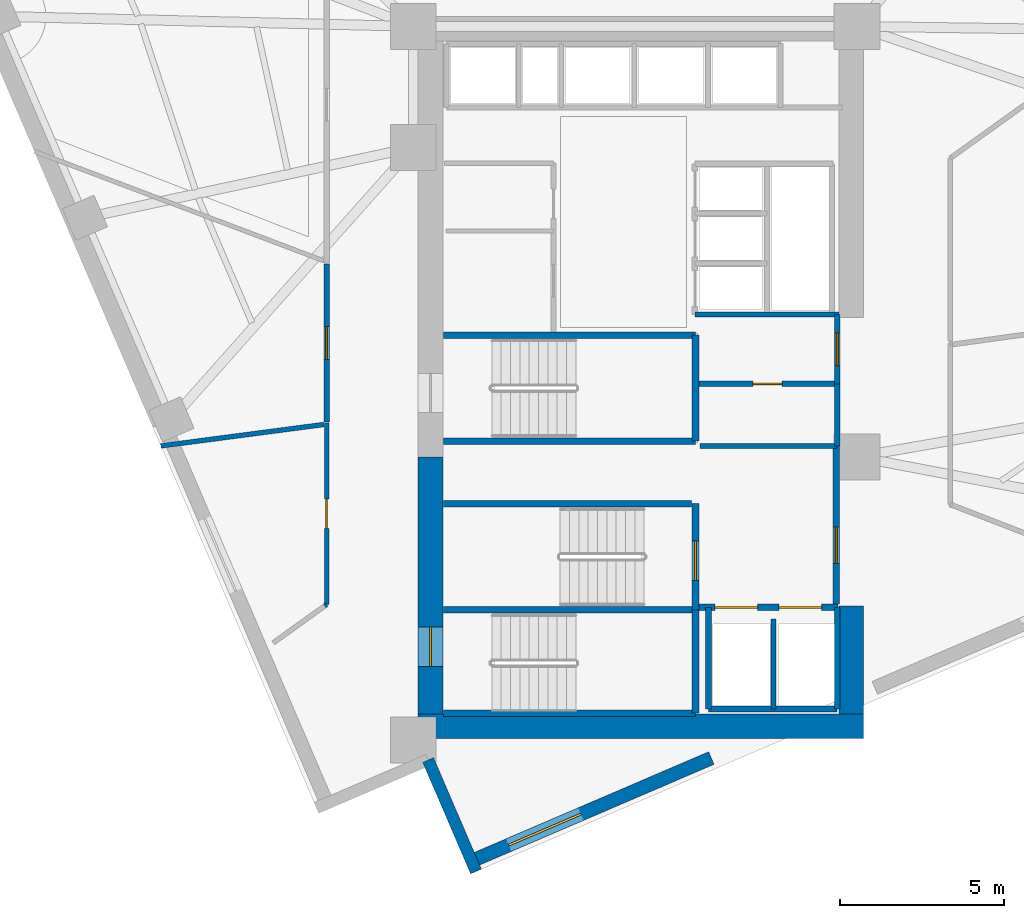
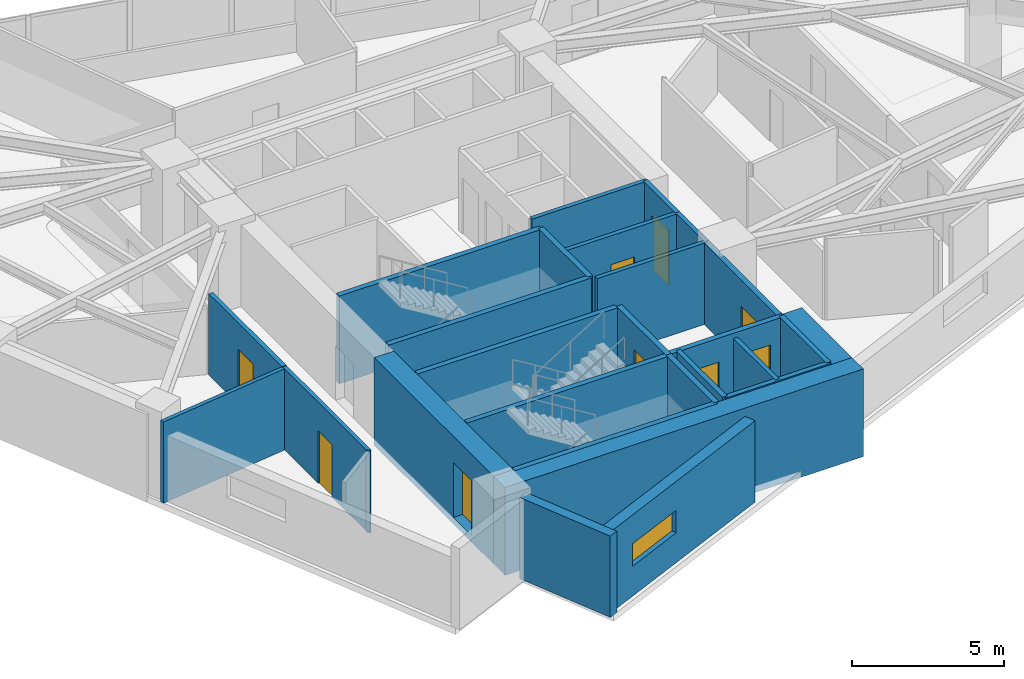
# One storey, part 9 of 14: 28 walls, 9 doors, 1 window, 10 openings.
"""IFC4 building model written with IfcOpenShell, lengths in metres."""

from ifc_helpers import new_model, si_unit, direction, frame, frame_2d, origin, place, context, subcontext, project, spatial, rectangle, extrude, material, layer, layer_set, type_object, element, fill, save


model = new_model("IFC4")

# Units and contexts
model_context = context("Model", 3, precision=1e-05, world=origin(), true_north=direction((0.0, 1.0)))
body_context = subcontext(model_context, "Body", "Model", "MODEL_VIEW")
ifc_project = project(units=[si_unit("LENGTHUNIT", "METRE"), si_unit("AREAUNIT", "SQUARE_METRE"), si_unit("VOLUMEUNIT", "CUBIC_METRE"), si_unit("PLANEANGLEUNIT", "RADIAN"), si_unit("MASSUNIT", "GRAM", prefix="KILO")], contexts=[model_context])

# Site, building, storey
site_placement = place(None, origin())
site = spatial("IfcSite", under=ifc_project, at=site_placement, CompositionType="ELEMENT")
building_placement = place(site_placement, origin())
building = spatial("IfcBuilding", under=site, at=building_placement, Name="Narakoshi Arena Tower", CompositionType="ELEMENT")
storey_placement = place(building_placement, frame((0.0, 0.0, 189.659912109375)))
storey = spatial("IfcBuildingStorey", under=building, at=storey_placement, Name="L51", CompositionType="ELEMENT", Elevation=189.659912109375)

# Wall, opening, door
ifc_material_1 = material(Name="Concrete C50/60", Category="concrete")
ifc_layer_1 = layer(ifc_material_1, 0.75)
ifc_layer_set_1 = layer_set([ifc_layer_1], Name="Concrete C50/60")
wall_type_1 = type_object("IfcWallType", Name="WL-CORE-750", PredefinedType="SHEAR", material=ifc_layer_set_1)
wall_1_placement = place(storey_placement, frame((72.52490234375, 35.5, -0.260009765625), z_axis=(0.0, 0.0, 1.0), x_axis=(0.0, 1.0, 0.0)))
wall_1 = element("IfcWall", 1, at=wall_1_placement, inside=storey, type_object=wall_type_1, Name="L51 Central Core Shear Wall CW-APX-W", PredefinedType="SHEAR", context=body_context, shape_type="SweptSolid", body=[
    extrude(rectangle(XDim=7.85009765625, YDim=0.75, at=frame_2d((3.925048828125, 0.0))), origin(), (0.0, 0.0, 1.0), 3.52001953125),
])
opening_1_placement = place(wall_1_placement, frame((1.449951171875, 0.0, 0.260009765625)))
opening_1 = element("IfcOpeningElement", 2, at=opening_1_placement, cuts=wall_1, Name="Opening D-03", PredefinedType="OPENING", context=body_context, shape_type="SweptSolid", body=[
    extrude(rectangle(XDim=1.199951171875, YDim=2.199951171875, at=frame_2d((0.60009765625, 1.10009765625))), frame((0.0, 0.385009765625, 0.0), z_axis=(0.0, -1.0, 0.0), x_axis=(1.0, 0.0, 0.0)), (0.0, 0.0, 1.0), 0.77001953125),
])
ifc_material_2 = material(Name="Painted galvanized steel", Category="steel")
door_type_1 = type_object("IfcDoorType", Name="DR-STR-1200", OperationType="NOTDEFINED", PredefinedType="USERDEFINED", material=ifc_material_2)
door_1_placement = place(opening_1_placement, frame((1.199951171875, 0.0, 0.0), z_axis=(0.0, 0.0, 1.0), x_axis=(-1.0, 0.0, 0.0)))
door_1 = element("IfcDoor", 3, at=door_1_placement, inside=storey, type_object=door_type_1, Name="DR-L51-001", ObjectType="EXITDOOR", OperationType="SINGLE_SWING_LEFT", OverallHeight=2.199951171875, OverallWidth=1.199951171875, PredefinedType="USERDEFINED", context=body_context, shape_type="SweptSolid", body=[
    extrude(rectangle(XDim=1.199951171875, YDim=2.199951171875, at=frame_2d((0.60009765625, 1.10009765625))), frame((0.0, 0.02490234375, 0.0), z_axis=(0.0, -1.0, 0.0), x_axis=(1.0, 0.0, 0.0)), (0.0, 0.0, 1.0), 0.050048828125),
])
fill(opening_1, door_1)

# Walls
wall_2_placement = place(storey_placement, frame((72.14990234375, 35.125, -0.260009765625), z_axis=(0.0, 0.0, 1.0), x_axis=(1.0, 0.0, 0.0)))
element("IfcWall", 4, at=wall_2_placement, inside=storey, type_object=wall_type_1, Name="L51 Central Core Shear Wall CW-APX-S", PredefinedType="SHEAR", context=body_context, shape_type="SweptSolid", body=[
    extrude(rectangle(XDim=13.60009765625, YDim=0.75, at=frame_2d((6.800048828125, 0.0))), origin(), (0.0, 0.0, 1.0), 3.52001953125),
])
wall_3_placement = place(storey_placement, frame((85.375, 35.5, -0.260009765625), z_axis=(0.0, 0.0, 1.0), x_axis=(0.0, 1.0, 0.0)))
element("IfcWall", 5, at=wall_3_placement, inside=storey, type_object=wall_type_1, Name="L51 Central Core Shear Wall CW-APX-E", PredefinedType="SHEAR", context=body_context, shape_type="SweptSolid", body=[
    extrude(rectangle(XDim=3.300048828125, YDim=0.75, at=frame_2d((1.64990234375, 0.0))), origin(), (0.0, 0.0, 1.0), 3.52001953125),
])

# Wall, opening, door
ifc_material_3 = material(Name="Gypsum plasterboard fire-rated partition")
ifc_layer_2 = layer(ifc_material_3, 0.1650390625)
ifc_layer_set_2 = layer_set([ifc_layer_2], Name="Gypsum plasterboard fire-rated partition")
wall_type_2 = type_object("IfcWallType", Name="WL-CORR-165", PredefinedType="PARTITIONING", material=ifc_layer_set_2)
wall_4_placement = place(storey_placement, frame((84.949951171875, 45.580078125, 0.0), z_axis=(0.0, 0.0, 1.0), x_axis=(0.0, 1.0, 0.0)))
wall_4 = element("IfcWall", 6, at=wall_4_placement, inside=storey, type_object=wall_type_2, Name="L51 Core Wall CPAS-E", PredefinedType="PARTITIONING", context=body_context, shape_type="SweptSolid", body=[
    extrude(rectangle(XDim=2.119873046875, YDim=0.1650390625, at=frame_2d((1.06005859375, 0.0))), origin(), (0.0, 0.0, 1.0), 3.260009765625),
])
opening_2_placement = place(wall_4_placement, frame((0.56005859375, 0.0, 0.0)))
opening_2 = element("IfcOpeningElement", 7, at=opening_2_placement, cuts=wall_4, Name="Opening D-06", PredefinedType="OPENING", context=body_context, shape_type="SweptSolid", body=[
    extrude(rectangle(XDim=1.0, YDim=2.199951171875, at=frame_2d((0.5, 1.10009765625))), frame((0.0, 0.092529296875, 0.0), z_axis=(0.0, -1.0, 0.0), x_axis=(1.0, 0.0, 0.0)), (0.0, 0.0, 1.0), 0.18505859375),
])
ifc_material_4 = material(Name="Stained oak solid-core timber", Category="wood")
door_type_2 = type_object("IfcDoorType", Name="DR-OFF-1000", OperationType="NOTDEFINED", PredefinedType="DOOR", material=ifc_material_4)
door_2_placement = place(opening_2_placement, frame((1.0, 0.0, 0.0), z_axis=(0.0, 0.0, 1.0), x_axis=(-1.0, 0.0, 0.0)))
door_2 = element("IfcDoor", 8, at=door_2_placement, inside=storey, type_object=door_type_2, Name="DR-L51-007", OperationType="SINGLE_SWING_LEFT", OverallHeight=2.199951171875, OverallWidth=1.0, PredefinedType="DOOR", context=body_context, shape_type="SweptSolid", body=[
    extrude(rectangle(XDim=1.0, YDim=2.199951171875, at=frame_2d((0.5, 1.10009765625))), frame((0.0, 0.02490234375, 0.0), z_axis=(0.0, -1.0, 0.0), x_axis=(1.0, 0.0, 0.0)), (0.0, 0.0, 1.0), 0.050048828125),
])
fill(opening_2, door_2)

wall_5_placement = place(storey_placement, frame((69.353759765625, 49.24169921875, 0.0), z_axis=(0.0, 0.0, 1.0), x_axis=(0.0, -1.0, 0.0)))
wall_5 = element("IfcWall", 9, at=wall_5_placement, inside=storey, type_object=wall_type_2, Name="L51 Corridor Partition 09-1", PredefinedType="PARTITIONING", context=body_context, shape_type="SweptSolid", body=[
    extrude(rectangle(XDim=4.831298828125, YDim=0.1650390625, at=frame_2d((2.41552734375, 0.0))), origin(), (0.0, 0.0, 1.0), 3.260009765625),
])
opening_3_placement = place(wall_5_placement, frame((1.91552734375, 0.0, 0.0)))
opening_3 = element("IfcOpeningElement", 10, at=opening_3_placement, cuts=wall_5, Name="Opening D-06", PredefinedType="OPENING", context=body_context, shape_type="SweptSolid", body=[
    extrude(rectangle(XDim=1.0, YDim=2.199951171875, at=frame_2d((0.5, 1.10009765625))), frame((0.0, 0.092529296875, 0.0), z_axis=(0.0, -1.0, 0.0), x_axis=(1.0, 0.0, 0.0)), (0.0, 0.0, 1.0), 0.18505859375),
])
door_3_placement = place(opening_3_placement, frame((1.0, 0.0, 0.0), z_axis=(0.0, 0.0, 1.0), x_axis=(-1.0, 0.0, 0.0)))
door_3 = element("IfcDoor", 11, at=door_3_placement, inside=storey, type_object=door_type_2, Name="DR-L51-022", OperationType="SINGLE_SWING_LEFT", OverallHeight=2.199951171875, OverallWidth=1.0, PredefinedType="DOOR", context=body_context, shape_type="SweptSolid", body=[
    extrude(rectangle(XDim=1.0, YDim=2.199951171875, at=frame_2d((0.5, 1.10009765625))), frame((0.0, 0.02490234375, 0.0), z_axis=(0.0, -1.0, 0.0), x_axis=(1.0, 0.0, 0.0)), (0.0, 0.0, 1.0), 0.050048828125),
])
fill(opening_3, door_3)

# Wall, opening, window
ifc_material_5 = material(Name="Precast concrete C45/55", Category="concrete")
ifc_layer_3 = layer(ifc_material_5, 0.419921875)
ifc_layer_set_3 = layer_set([ifc_layer_3], Name="Precast concrete C45/55")
wall_type_3 = type_object("IfcWallType", Name="WL-POD-420", PredefinedType="SOLIDWALL", material=ifc_layer_set_3)
wall_6_placement = place(storey_placement, frame((73.77880859375, 31.002685546875, 0.0), z_axis=(0.0, 0.0, 1.0), x_axis=(0.918797817688, 0.394728476565, 0.0)))
wall_6 = element("IfcWall", 12, at=wall_6_placement, inside=storey, type_object=wall_type_3, Name="L51 Architectural Concrete Facade Wall LEGA-1", PredefinedType="SOLIDWALL", context=body_context, shape_type="SweptSolid", body=[
    extrude(rectangle(XDim=7.97314453125, YDim=0.419921875, at=frame_2d((3.986572265625, 0.0))), origin(), (0.0, 0.0, 1.0), 3.260009765625),
])
opening_4_placement = place(wall_6_placement, frame((1.234130859375, 0.0, 1.199951171875)))
opening_4 = element("IfcOpeningElement", 13, at=opening_4_placement, cuts=wall_6, Name="Opening WN-01", PredefinedType="OPENING", context=body_context, shape_type="SweptSolid", body=[
    extrude(rectangle(XDim=2.39990234375, YDim=0.89990234375, at=frame_2d((1.199951171875, 0.449951171875))), frame((0.0, 0.219970703125, 0.0), z_axis=(0.0, -1.0, 0.0), x_axis=(1.0, 0.0, 0.0)), (0.0, 0.0, 1.0), 0.43994140625),
])
ifc_material_6 = material(Name="Bronze-tinted low-E laminated glass", Category="glass")
window_type = type_object("IfcWindowType", Name="WIN-SLT-24x09", PartitioningType="SINGLE_PANEL", PredefinedType="WINDOW", material=ifc_material_6)
window_placement = place(opening_4_placement, origin())
window = element("IfcWindow", 14, at=window_placement, inside=storey, type_object=window_type, Name="L51 LEGA1 Horizontal Slot Window 1", OverallHeight=0.89990234375, OverallWidth=2.39990234375, PartitioningType="SINGLE_PANEL", PredefinedType="WINDOW", context=body_context, shape_type="SweptSolid", body=[
    extrude(rectangle(XDim=2.39990234375, YDim=0.89990234375, at=frame_2d((1.199951171875, 0.449951171875))), frame((0.0, 0.030029296875, 0.0), z_axis=(0.0, -1.0, 0.0), x_axis=(1.0, 0.0, 0.0)), (0.0, 0.0, 1.0), 0.06005859375),
])
fill(opening_4, window)

# Walls
wall_7_placement = place(storey_placement, frame((72.451416015625, 34.09228515625, 0.0), z_axis=(0.0, 0.0, 1.0), x_axis=(0.394752464447, -0.918787511786, 0.0)))
element("IfcWall", 15, at=wall_7_placement, inside=storey, type_object=wall_type_3, Name="L51 Re-Entrant Corner Notch Wall NTA-2", PredefinedType="SOLIDWALL", context=body_context, shape_type="SweptSolid", body=[
    extrude(rectangle(XDim=3.712646484375, YDim=0.360107421875, at=frame_2d((1.8564453125, 0.0))), origin(), (0.0, 0.0, 1.0), 3.260009765625),
])
ifc_material_7 = material(Name="Concrete C40/50", Category="concrete")
ifc_layer_4 = layer(ifc_material_7, 0.280029296875)
ifc_layer_set_4 = layer_set([ifc_layer_4], Name="Concrete C40/50")
wall_type_4 = type_object("IfcWallType", Name="WL-RISER-280", PredefinedType="PLUMBINGWALL", material=ifc_layer_set_4)
wall_8_placement = place(storey_placement, frame((83.0, 35.64990234375, 0.0), z_axis=(0.0, 0.0, 1.0), x_axis=(0.0, 1.0, 0.0)))
element("IfcWall", 16, at=wall_8_placement, inside=storey, type_object=wall_type_4, Name="L51 Core Wall FF-DIV", PredefinedType="PLUMBINGWALL", context=body_context, shape_type="SweptSolid", body=[
    extrude(rectangle(XDim=2.75, YDim=0.159912109375, at=frame_2d((1.375, 0.0))), origin(), (0.0, 0.0, 1.0), 3.260009765625),
])
wall_9_placement = place(storey_placement, frame((84.949951171875, 43.679931640625, 0.0), z_axis=(0.0, 0.0, 1.0), x_axis=(0.0, 1.0, 0.0)))
element("IfcWall", 17, at=wall_9_placement, inside=storey, type_object=wall_type_4, Name="L51 Core Wall RSR-E", PredefinedType="PLUMBINGWALL", context=body_context, shape_type="SweptSolid", body=[
    extrude(rectangle(XDim=1.900146484375, YDim=0.1650390625, at=frame_2d((0.9501953125, 0.0))), origin(), (0.0, 0.0, 1.0), 3.260009765625),
])

# Wall, opening, door
wall_10_placement = place(storey_placement, frame((80.719970703125, 45.580078125, 0.0), z_axis=(0.0, 0.0, 1.0), x_axis=(1.0, 0.0, 0.0)))
wall_10 = element("IfcWall", 18, at=wall_10_placement, inside=storey, type_object=wall_type_4, Name="L51 Core Wall RSR-N", PredefinedType="PLUMBINGWALL", context=body_context, shape_type="SweptSolid", body=[
    extrude(rectangle(XDim=4.22998046875, YDim=0.159912109375, at=frame_2d((2.114990234375, 0.0))), origin(), (0.0, 0.0, 1.0), 3.260009765625),
])
opening_5_placement = place(wall_10_placement, frame((1.64990234375, 0.0, 0.0)))
opening_5 = element("IfcOpeningElement", 19, at=opening_5_placement, cuts=wall_10, Name="Opening D-08", PredefinedType="OPENING", context=body_context, shape_type="SweptSolid", body=[
    extrude(rectangle(XDim=0.89990234375, YDim=2.10009765625, at=frame_2d((0.449951171875, 1.050048828125))), frame((0.0, 0.08984375, 0.0), z_axis=(0.0, -1.0, 0.0), x_axis=(1.0, 0.0, 0.0)), (0.0, 0.0, 1.0), 0.179931640625),
])
ifc_material_8 = material(Name="Moisture-resistant laminate timber", Category="wood")
door_type_3 = type_object("IfcDoorType", Name="DR-WC-900", OperationType="NOTDEFINED", PredefinedType="DOOR", material=ifc_material_8)
door_4_placement = place(opening_5_placement, frame((0.89990234375, 0.0, 0.0), z_axis=(0.0, 0.0, 1.0), x_axis=(-1.0, 0.0, 0.0)))
door_4 = element("IfcDoor", 20, at=door_4_placement, inside=storey, type_object=door_type_3, Name="DR-L51-008", OperationType="SINGLE_SWING_LEFT", OverallHeight=2.10009765625, OverallWidth=0.89990234375, PredefinedType="DOOR", context=body_context, shape_type="SweptSolid", body=[
    extrude(rectangle(XDim=0.89990234375, YDim=2.10009765625, at=frame_2d((0.449951171875, 1.050048828125))), frame((0.0, 0.02490234375, 0.0), z_axis=(0.0, -1.0, 0.0), x_axis=(1.0, 0.0, 0.0)), (0.0, 0.0, 1.0), 0.050048828125),
])
fill(opening_5, door_4)

# Walls
wall_11_placement = place(storey_placement, frame((80.760009765625, 43.679931640625, 0.0), z_axis=(0.0, 0.0, 1.0), x_axis=(1.0, 0.0, 0.0)))
element("IfcWall", 21, at=wall_11_placement, inside=storey, type_object=wall_type_4, Name="L51 Core Wall RSR-S", PredefinedType="PLUMBINGWALL", context=body_context, shape_type="SweptSolid", body=[
    extrude(rectangle(XDim=4.18994140625, YDim=0.159912109375, at=frame_2d((2.094970703125, 0.0))), origin(), (0.0, 0.0, 1.0), 3.260009765625),
])
ifc_layer_5 = layer(ifc_material_1, 0.35009765625)
ifc_layer_set_5 = layer_set([ifc_layer_5], Name="Concrete C50/60")
wall_type_5 = type_object("IfcWallType", Name="WL-SHAFT-350", PredefinedType="SOLIDWALL", material=ifc_layer_set_5)
for number, where, z_axis, x_axis, name in (
    (22, (72.919921875, 35.52001953125, -0.260009765625), (0.0, 0.0, 1.0), (1.0, 0.0, 0.0), "L51 Core Wall ST1-S"),
    (23, (72.919921875, 38.675048828125, -0.260009765625), (0.0, 0.0, 1.0), (1.0, 0.0, 0.0), "L51 Core Wall ST12-DIV"),
):
    element("IfcWall", number, at=place(storey_placement, frame(where, z_axis=z_axis, x_axis=x_axis)), inside=storey, type_object=wall_type_5, Name=name, PredefinedType="SOLIDWALL", context=body_context, shape_type="SweptSolid", body=[
        extrude(rectangle(XDim=7.7001953125, YDim=0.199951171875, at=frame_2d((3.85009765625, 0.0))), origin(), (0.0, 0.0, 1.0), 3.52001953125),
    ])
wall_12_placement = place(storey_placement, frame((80.6201171875, 35.52001953125, -0.260009765625), z_axis=(0.0, 0.0, 1.0), x_axis=(0.0, 1.0, 0.0)))
element("IfcWall", 24, at=wall_12_placement, inside=storey, type_object=wall_type_5, Name="L51 Core Wall ST1-E", PredefinedType="SOLIDWALL", context=body_context, shape_type="SweptSolid", body=[
    extrude(rectangle(XDim=3.155029296875, YDim=0.199951171875, at=frame_2d((1.57763671875, 0.0))), origin(), (0.0, 0.0, 1.0), 3.52001953125),
])

# Wall, opening, door
wall_13_placement = place(storey_placement, frame((80.6201171875, 38.675048828125, -0.260009765625), z_axis=(0.0, 0.0, 1.0), x_axis=(0.0, 1.0, 0.0)))
wall_13 = element("IfcWall", 25, at=wall_13_placement, inside=storey, type_object=wall_type_5, Name="L51 Core Wall ST2-E", PredefinedType="SOLIDWALL", context=body_context, shape_type="SweptSolid", body=[
    extrude(rectangle(XDim=3.244873046875, YDim=0.199951171875, at=frame_2d((1.62255859375, 0.0))), origin(), (0.0, 0.0, 1.0), 3.52001953125),
])
opening_6_placement = place(wall_13_placement, frame((0.89990234375, 0.0, 0.260009765625)))
opening_6 = element("IfcOpeningElement", 26, at=opening_6_placement, cuts=wall_13, Name="Opening D-03", PredefinedType="OPENING", context=body_context, shape_type="SweptSolid", body=[
    extrude(rectangle(XDim=1.199951171875, YDim=2.199951171875, at=frame_2d((0.60009765625, 1.10009765625))), frame((0.0, 0.10986328125, 0.0), z_axis=(0.0, -1.0, 0.0), x_axis=(1.0, 0.0, 0.0)), (0.0, 0.0, 1.0), 0.219970703125),
])
door_5_placement = place(opening_6_placement, origin())
door_5 = element("IfcDoor", 27, at=door_5_placement, inside=storey, type_object=door_type_1, Name="DR-L51-002", ObjectType="EXITDOOR", OperationType="SINGLE_SWING_RIGHT", OverallHeight=2.199951171875, OverallWidth=1.199951171875, PredefinedType="USERDEFINED", context=body_context, shape_type="SweptSolid", body=[
    extrude(rectangle(XDim=1.199951171875, YDim=2.199951171875, at=frame_2d((0.60009765625, 1.10009765625))), frame((0.0, 0.02490234375, 0.0), z_axis=(0.0, -1.0, 0.0), x_axis=(1.0, 0.0, 0.0)), (0.0, 0.0, 1.0), 0.050048828125),
])
fill(opening_6, door_5)

# Wall, openings, doors
wall_14_placement = place(storey_placement, frame((80.719970703125, 38.75, 0.0), z_axis=(0.0, 0.0, 1.0), x_axis=(1.0, 0.0, 0.0)))
wall_14 = element("IfcWall", 28, at=wall_14_placement, inside=storey, type_object=wall_type_5, Name="L51 Core Wall FF-N", PredefinedType="SOLIDWALL", context=body_context, shape_type="SweptSolid", body=[
    extrude(rectangle(XDim=4.260009765625, YDim=0.199951171875, at=frame_2d((2.1298828125, 0.0))), origin(), (0.0, 0.0, 1.0), 3.260009765625),
])
opening_7_placement = place(wall_14_placement, frame((0.5, 0.0, 0.0)))
opening_7 = element("IfcOpeningElement", 29, at=opening_7_placement, cuts=wall_14, Name="Opening LD-02", PredefinedType="OPENING", context=body_context, shape_type="SweptSolid", body=[
    extrude(rectangle(XDim=1.300048828125, YDim=2.300048828125, at=frame_2d((0.64990234375, 1.14990234375))), frame((0.0, 0.10986328125, 0.0), z_axis=(0.0, -1.0, 0.0), x_axis=(1.0, 0.0, 0.0)), (0.0, 0.0, 1.0), 0.219970703125),
])
opening_8_placement = place(wall_14_placement, frame((2.449951171875, 0.0, 0.0)))
opening_8 = element("IfcOpeningElement", 30, at=opening_8_placement, cuts=wall_14, Name="Opening LD-02", PredefinedType="OPENING", context=body_context, shape_type="SweptSolid", body=[
    extrude(rectangle(XDim=1.300048828125, YDim=2.300048828125, at=frame_2d((0.64990234375, 1.14990234375))), frame((0.0, 0.10986328125, 0.0), z_axis=(0.0, -1.0, 0.0), x_axis=(1.0, 0.0, 0.0)), (0.0, 0.0, 1.0), 0.219970703125),
])
ifc_material_9 = material(Name="Brushed bronze stainless steel", Category="steel")
door_type_4 = type_object("IfcDoorType", Name="DR-LFT-1300", OperationType="DOUBLE_DOOR_SLIDING", PredefinedType="DOOR", material=ifc_material_9)
door_6_placement = place(opening_7_placement, origin())
door_6 = element("IfcDoor", 31, at=door_6_placement, inside=storey, type_object=door_type_4, Name="DR-L51-003", OperationType="DOUBLE_DOOR_SLIDING", OverallHeight=2.300048828125, OverallWidth=1.300048828125, PredefinedType="DOOR", context=body_context, shape_type="SweptSolid", body=[
    extrude(rectangle(XDim=1.300048828125, YDim=2.300048828125, at=frame_2d((0.64990234375, 1.14990234375))), frame((0.0, 0.02490234375, 0.0), z_axis=(0.0, -1.0, 0.0), x_axis=(1.0, 0.0, 0.0)), (0.0, 0.0, 1.0), 0.050048828125),
])
fill(opening_7, door_6)
door_7_placement = place(opening_8_placement, origin())
door_7 = element("IfcDoor", 32, at=door_7_placement, inside=storey, type_object=door_type_4, Name="DR-L51-004", OperationType="DOUBLE_DOOR_SLIDING", OverallHeight=2.300048828125, OverallWidth=1.300048828125, PredefinedType="DOOR", context=body_context, shape_type="SweptSolid", body=[
    extrude(rectangle(XDim=1.300048828125, YDim=2.300048828125, at=frame_2d((0.64990234375, 1.14990234375))), frame((0.0, 0.02490234375, 0.0), z_axis=(0.0, -1.0, 0.0), x_axis=(1.0, 0.0, 0.0)), (0.0, 0.0, 1.0), 0.050048828125),
])
fill(opening_8, door_7)

# Walls
for number, where, z_axis, x_axis, name in (
    (33, (84.949951171875, 35.64990234375, 0.0), (0.0, 0.0, 1.0), (0.0, 1.0, 0.0), "L51 Core Wall FF-E"),
    (34, (81.02001953125, 35.64990234375, 0.0), (0.0, 0.0, 1.0), (0.0, 1.0, 0.0), "L51 Core Wall FF-W"),
):
    element("IfcWall", number, at=place(storey_placement, frame(where, z_axis=z_axis, x_axis=x_axis)), inside=storey, type_object=wall_type_5, Name=name, PredefinedType="SOLIDWALL", context=body_context, shape_type="SweptSolid", body=[
        extrude(rectangle(XDim=3.10009765625, YDim=0.179931640625, at=frame_2d((1.550048828125, 0.0))), origin(), (0.0, 0.0, 1.0), 3.260009765625),
    ])
wall_15_placement = place(storey_placement, frame((81.02001953125, 35.64990234375, 0.0), z_axis=(0.0, 0.0, 1.0), x_axis=(1.0, 0.0, 0.0)))
element("IfcWall", 35, at=wall_15_placement, inside=storey, type_object=wall_type_5, Name="L51 Core Wall FF-S", PredefinedType="SOLIDWALL", context=body_context, shape_type="SweptSolid", body=[
    extrude(rectangle(XDim=3.929931640625, YDim=0.179931640625, at=frame_2d((1.96484375, 0.0))), origin(), (0.0, 0.0, 1.0), 3.260009765625),
])

# Wall, opening, door
wall_16_placement = place(storey_placement, frame((84.919921875, 38.85009765625, 0.0), z_axis=(0.0, 0.0, 1.0), x_axis=(0.0, 1.0, 0.0)))
wall_16 = element("IfcWall", 36, at=wall_16_placement, inside=storey, type_object=wall_type_5, Name="L51 Core Wall FFLOB-E", PredefinedType="SOLIDWALL", context=body_context, shape_type="SweptSolid", body=[
    extrude(rectangle(XDim=4.829833984375, YDim=0.199951171875, at=frame_2d((2.4150390625, 0.0))), origin(), (0.0, 0.0, 1.0), 3.260009765625),
])
opening_9_placement = place(wall_16_placement, frame((1.25, 0.0, 0.0)))
opening_9 = element("IfcOpeningElement", 37, at=opening_9_placement, cuts=wall_16, Name="Opening D-04", PredefinedType="OPENING", context=body_context, shape_type="SweptSolid", body=[
    extrude(rectangle(XDim=1.10009765625, YDim=2.199951171875, at=frame_2d((0.550048828125, 1.10009765625))), frame((0.0, 0.10986328125, 0.0), z_axis=(0.0, -1.0, 0.0), x_axis=(1.0, 0.0, 0.0)), (0.0, 0.0, 1.0), 0.219970703125),
])
door_type_5 = type_object("IfcDoorType", Name="DR-FFL-1100", OperationType="NOTDEFINED", PredefinedType="DOOR", material=ifc_material_2)
door_8_placement = place(opening_9_placement, frame((1.10009765625, 0.0, 0.0), z_axis=(0.0, 0.0, 1.0), x_axis=(-1.0, 0.0, 0.0)))
door_8 = element("IfcDoor", 38, at=door_8_placement, inside=storey, type_object=door_type_5, Name="DR-L51-005", OperationType="SINGLE_SWING_RIGHT", OverallHeight=2.199951171875, OverallWidth=1.10009765625, PredefinedType="DOOR", context=body_context, shape_type="SweptSolid", body=[
    extrude(rectangle(XDim=1.10009765625, YDim=2.199951171875, at=frame_2d((0.550048828125, 1.10009765625))), frame((0.0, 0.02490234375, 0.0), z_axis=(0.0, -1.0, 0.0), x_axis=(1.0, 0.0, 0.0)), (0.0, 0.0, 1.0), 0.050048828125),
])
fill(opening_9, door_8)

# Walls
wall_17_placement = place(storey_placement, frame((72.919921875, 41.919921875, -0.260009765625), z_axis=(0.0, 0.0, 1.0), x_axis=(1.0, 0.0, 0.0)))
element("IfcWall", 39, at=wall_17_placement, inside=storey, type_object=wall_type_5, Name="L51 Core Wall ST2-N", PredefinedType="SOLIDWALL", context=body_context, shape_type="SweptSolid", body=[
    extrude(rectangle(XDim=7.580078125, YDim=0.199951171875, at=frame_2d((3.7900390625, 0.0))), origin(), (0.0, 0.0, 1.0), 3.52001953125),
])
for number, where, z_axis, x_axis, name in (
    (40, (72.919921875, 43.830078125, -0.260009765625), (0.0, 0.0, 1.0), (1.0, 0.0, 0.0), "L51 Core Wall ST3-S"),
    (41, (72.919921875, 47.070068359375, -0.260009765625), (0.0, 0.0, 1.0), (1.0, 0.0, 0.0), "L51 Core Wall ST3-N"),
):
    element("IfcWall", number, at=place(storey_placement, frame(where, z_axis=z_axis, x_axis=x_axis)), inside=storey, type_object=wall_type_5, Name=name, PredefinedType="SOLIDWALL", context=body_context, shape_type="SweptSolid", body=[
        extrude(rectangle(XDim=7.7001953125, YDim=0.199951171875, at=frame_2d((3.85009765625, 0.0))), origin(), (0.0, 0.0, 1.0), 3.52001953125),
    ])
wall_18_placement = place(storey_placement, frame((80.6201171875, 43.830078125, -0.260009765625), z_axis=(0.0, 0.0, 1.0), x_axis=(0.0, 1.0, 0.0)))
element("IfcWall", 42, at=wall_18_placement, inside=storey, type_object=wall_type_5, Name="L51 Core Wall ST3-E", PredefinedType="SOLIDWALL", context=body_context, shape_type="SweptSolid", body=[
    extrude(rectangle(XDim=3.239990234375, YDim=0.199951171875, at=frame_2d((1.6201171875, 0.0))), origin(), (0.0, 0.0, 1.0), 3.52001953125),
])
wall_19_placement = place(storey_placement, frame((80.60009765625, 47.699951171875, 0.0), z_axis=(0.0, 0.0, 1.0), x_axis=(1.0, 0.0, 0.0)))
element("IfcWall", 43, at=wall_19_placement, inside=storey, type_object=wall_type_5, Name="L51 Core Wall MR-S", PredefinedType="SOLIDWALL", context=body_context, shape_type="SweptSolid", body=[
    extrude(rectangle(XDim=4.39990234375, YDim=0.159912109375, at=frame_2d((2.199951171875, 0.0))), origin(), (0.0, 0.0, 1.0), 3.260009765625),
])

# Wall, opening, door
ifc_material_10 = material(Name="Moisture-resistant cement-board partition")
ifc_layer_6 = layer(ifc_material_10, 0.14501953125)
ifc_layer_set_6 = layer_set([ifc_layer_6], Name="Moisture-resistant cement-board partition")
wall_type_6 = type_object("IfcWallType", Name="WL-WET-145", PredefinedType="PARTITIONING", material=ifc_layer_set_6)
wall_20_placement = place(storey_placement, frame((69.353759765625, 44.38623046875, 0.0), z_axis=(0.0, 0.0, 1.0), x_axis=(0.0, -1.0, 0.0)))
wall_20 = element("IfcWall", 44, at=wall_20_placement, inside=storey, type_object=wall_type_6, Name="L51 Corridor Partition 01-1", PredefinedType="PARTITIONING", context=body_context, shape_type="SweptSolid", body=[
    extrude(rectangle(XDim=5.546875, YDim=0.14501953125, at=frame_2d((2.7734375, 0.0))), origin(), (0.0, 0.0, 1.0), 3.260009765625),
])
opening_10_placement = place(wall_20_placement, frame((2.323486328125, 0.0, 0.0)))
opening_10 = element("IfcOpeningElement", 45, at=opening_10_placement, cuts=wall_20, Name="Opening D-08", PredefinedType="OPENING", context=body_context, shape_type="SweptSolid", body=[
    extrude(rectangle(XDim=0.89990234375, YDim=2.10009765625, at=frame_2d((0.449951171875, 1.050048828125))), frame((0.0, 0.08251953125, 0.0), z_axis=(0.0, -1.0, 0.0), x_axis=(1.0, 0.0, 0.0)), (0.0, 0.0, 1.0), 0.1650390625),
])
door_9_placement = place(opening_10_placement, frame((0.89990234375, 0.0, 0.0), z_axis=(0.0, 0.0, 1.0), x_axis=(-1.0, 0.0, 0.0)))
door_9 = element("IfcDoor", 46, at=door_9_placement, inside=storey, type_object=door_type_3, Name="DR-L51-014", OperationType="SINGLE_SWING_RIGHT", OverallHeight=2.10009765625, OverallWidth=0.89990234375, PredefinedType="DOOR", context=body_context, shape_type="SweptSolid", body=[
    extrude(rectangle(XDim=0.89990234375, YDim=2.10009765625, at=frame_2d((0.449951171875, 1.050048828125))), frame((0.0, 0.02490234375, 0.0), z_axis=(0.0, -1.0, 0.0), x_axis=(1.0, 0.0, 0.0)), (0.0, 0.0, 1.0), 0.050048828125),
])
fill(opening_10, door_9)

# Walls
wall_21_placement = place(storey_placement, frame((69.353759765625, 38.83935546875, 0.0), z_axis=(0.0, 0.0, 1.0), x_axis=(-0.81328646832, -0.58186348953, 0.0)))
element("IfcWall", 47, at=wall_21_placement, inside=storey, type_object=wall_type_6, Name="L51 Corridor Partition 01-2", PredefinedType="PARTITIONING", context=body_context, shape_type="SweptSolid", body=[
    extrude(rectangle(XDim=0.07373046875, YDim=0.14501953125, at=frame_2d((0.036865234375, 0.0))), origin(), (0.0, 0.0, 1.0), 3.260009765625),
])
wall_22_placement = place(storey_placement, frame((64.289794921875, 43.683349609375, 0.0), z_axis=(0.0, 0.0, 1.0), x_axis=(0.991446020944, 0.130517384106, 0.0)))
element("IfcWall", 48, at=wall_22_placement, inside=storey, type_object=wall_type_6, Name="L51 Inter-Room Partition 01-09", PredefinedType="PARTITIONING", context=body_context, shape_type="SweptSolid", body=[
    extrude(rectangle(XDim=5.0224609375, YDim=0.14501953125, at=frame_2d((2.51123046875, 0.0))), origin(), (0.0, 0.0, 1.0), 3.260009765625),
])

save(model, "model.ifc")
